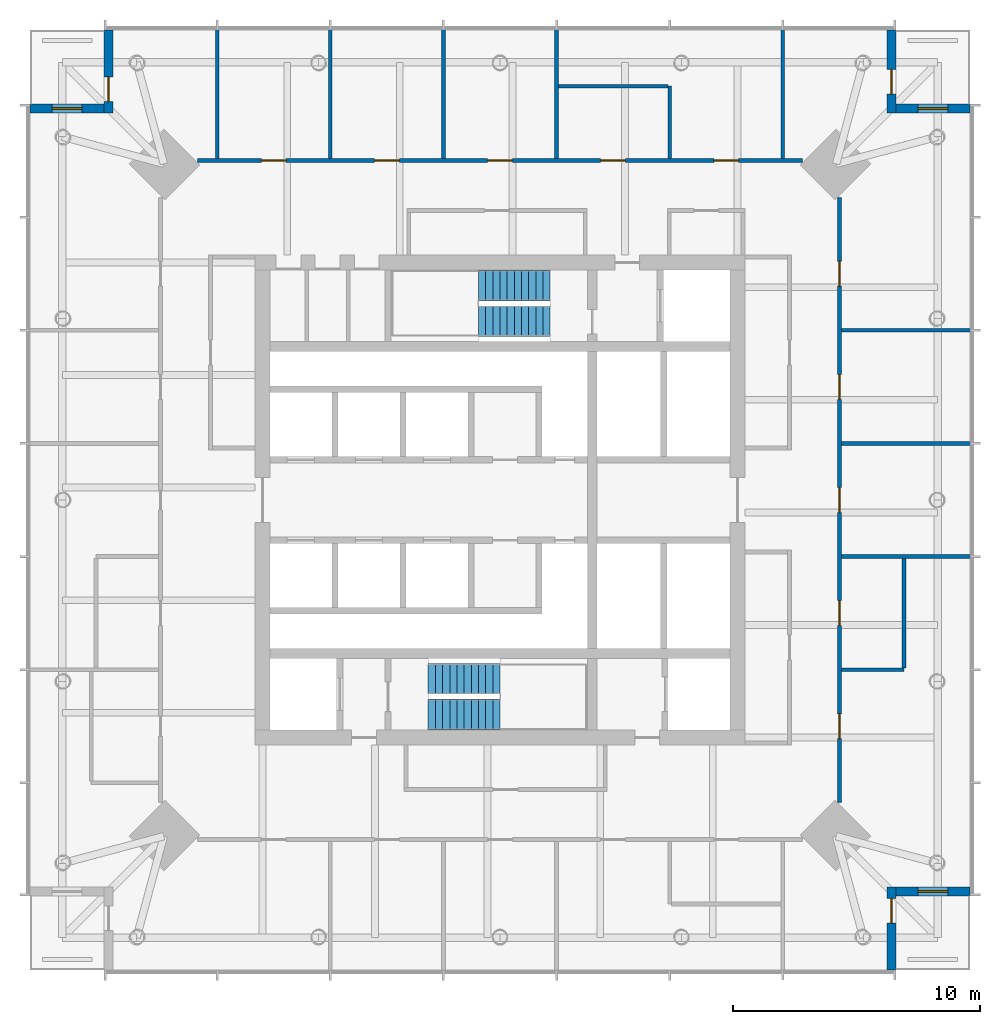
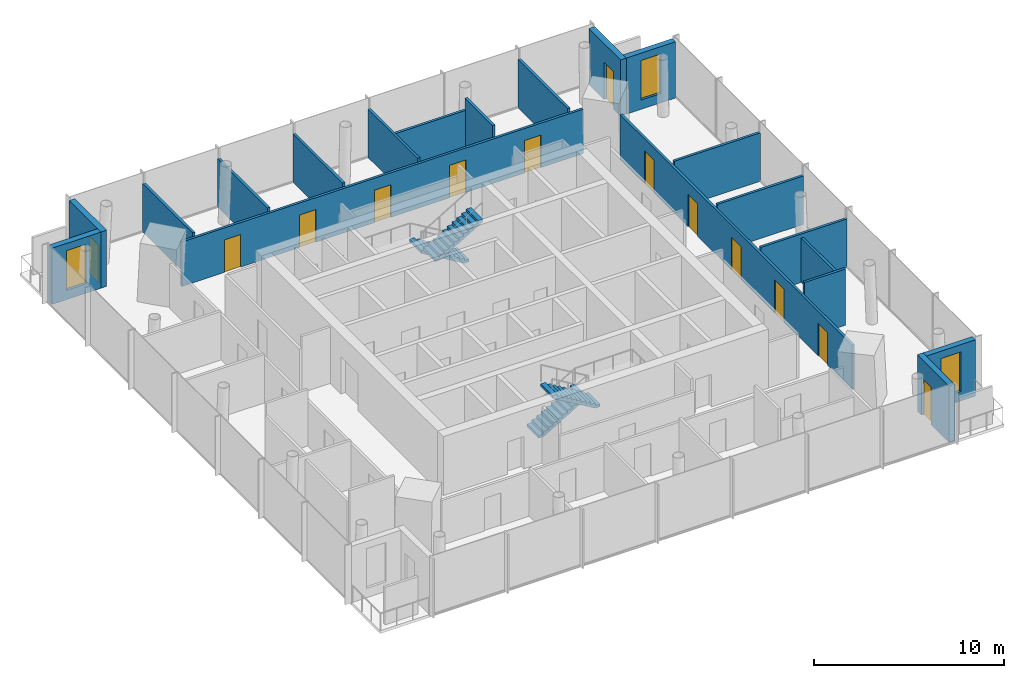
# One storey, part 6 of 7: 20 walls, 13 doors, 4 stair flights, 3 windows, 16 openings, 2 elements without a shape of their own.
"""IFC4 building model written with IfcOpenShell, lengths in metres."""

from ifc_helpers import new_model, si_unit, direction, frame, frame_2d, origin, place, context, subcontext, project, spatial, polyline, rectangle, outline, extrude, material, layer, layer_set, type_object, element, fill, aggregate, save


model = new_model("IFC4")

# Units and contexts
model_context = context("Model", 3, precision=1e-05, world=origin(), true_north=direction((0.0, 1.0)))
body_context = subcontext(model_context, "Body", "Model", "MODEL_VIEW")
ifc_project = project(units=[si_unit("LENGTHUNIT", "METRE"), si_unit("AREAUNIT", "SQUARE_METRE"), si_unit("VOLUMEUNIT", "CUBIC_METRE"), si_unit("PLANEANGLEUNIT", "RADIAN"), si_unit("MASSUNIT", "GRAM", prefix="KILO")], contexts=[model_context])

# Site, building, storey
site_placement = place(None, origin())
site = spatial("IfcSite", under=ifc_project, at=site_placement, CompositionType="ELEMENT")
building_placement = place(site_placement, origin())
building = spatial("IfcBuilding", under=site, at=building_placement, Name="Ostroluk Exchange", CompositionType="ELEMENT")
storey_placement = place(building_placement, frame((0.0, 0.0, 218.60009765625)))
storey = spatial("IfcBuildingStorey", under=building, at=storey_placement, Name="L56", CompositionType="ELEMENT", Elevation=218.60009765625)

# Wall, opening, door
ifc_material_1 = material(Name="Limestone", Category="masonry")
ifc_layer_1 = layer(ifc_material_1, 0.35009765625)
ifc_layer_set_1 = layer_set([ifc_layer_1], Name="Limestone facade wall 350")
wall_type_1 = type_object("IfcWallType", Name="Limestone facade wall 350", PredefinedType="SOLIDWALL", material=ifc_layer_set_1)
wall_1_placement = place(storey_placement, frame((60.824951171875, 27.0, 0.0), z_axis=(0.0, 0.0, 1.0), x_axis=(0.0, 1.0, 0.0)))
wall_1 = element("IfcWall", 1, at=wall_1_placement, inside=storey, type_object=wall_type_1, Name="Office tower SE corner wall L56 a", PredefinedType="SOLIDWALL", context=body_context, shape_type="SweptSolid", body=[
    extrude(rectangle(XDim=3.35009765625, YDim=0.35009765625, at=frame_2d((1.675048828125, 0.0))), origin(), (0.0, 0.0, 1.0), 3.619873046875),
])
opening_1_placement = place(wall_1_placement, frame((1.89990234375, 0.0, 0.0)))
opening_1 = element("IfcOpeningElement", 2, at=opening_1_placement, cuts=wall_1, Name="Opening D-B1", PredefinedType="OPENING", context=body_context, shape_type="SweptSolid", body=[
    extrude(rectangle(XDim=1.0, YDim=2.39990234375, at=frame_2d((0.5, 1.199951171875))), frame((0.0, 0.18505859375, 0.0), z_axis=(0.0, -1.0, 0.0), x_axis=(1.0, 0.0, 0.0)), (0.0, 0.0, 1.0), 0.3701171875),
])
ifc_material_2 = material(Name="Bronze framed glazed door", Category="aluminium")
door_type_1 = type_object("IfcDoorType", Name="Balcony door 1000 x 2400", OperationType="SINGLE_SWING_LEFT", PredefinedType="DOOR", material=ifc_material_2)
door_1_placement = place(opening_1_placement, origin())
door_1 = element("IfcDoor", 3, at=door_1_placement, inside=storey, type_object=door_type_1, Name="Office tower SE balcony door L56", OperationType="SINGLE_SWING_RIGHT", OverallHeight=2.39990234375, OverallWidth=1.0, PredefinedType="DOOR", context=body_context, shape_type="SweptSolid", body=[
    extrude(rectangle(XDim=1.0, YDim=2.39990234375, at=frame_2d((0.5, 1.199951171875))), frame((0.0, 0.02490234375, 0.0), z_axis=(0.0, -1.0, 0.0), x_axis=(1.0, 0.0, 0.0)), (0.0, 0.0, 1.0), 0.050048828125),
])
fill(opening_1, door_1)

# Wall, opening, window
wall_2_placement = place(storey_placement, frame((61.0, 30.175048828125, 0.0), z_axis=(0.0, 0.0, 1.0), x_axis=(1.0, 0.0, 0.0)))
wall_2 = element("IfcWall", 4, at=wall_2_placement, inside=storey, type_object=wall_type_1, Name="Office tower SE corner wall L56 b", PredefinedType="SOLIDWALL", context=body_context, shape_type="SweptSolid", body=[
    extrude(rectangle(XDim=3.0, YDim=0.35009765625, at=frame_2d((1.5, 0.0))), origin(), (0.0, 0.0, 1.0), 3.619873046875),
])
opening_2_placement = place(wall_2_placement, frame((0.89990234375, 0.0, 0.60009765625)))
opening_2 = element("IfcOpeningElement", 5, at=opening_2_placement, cuts=wall_2, Name="Opening WN-L1", PredefinedType="OPENING", context=body_context, shape_type="SweptSolid", body=[
    extrude(rectangle(XDim=1.199951171875, YDim=2.550048828125, at=frame_2d((0.60009765625, 1.27490234375))), frame((0.0, 0.18505859375, 0.0), z_axis=(0.0, -1.0, 0.0), x_axis=(1.0, 0.0, 0.0)), (0.0, 0.0, 1.0), 0.3701171875),
])
ifc_material_3 = material(Name="Laminated clear glass", Category="glass")
window_type = type_object("IfcWindowType", Name="Lancet window 1200 x 2550", PartitioningType="SINGLE_PANEL", PredefinedType="WINDOW", material=ifc_material_3)
window_1_placement = place(opening_2_placement, origin())
window_1 = element("IfcWindow", 6, at=window_1_placement, inside=storey, type_object=window_type, Name="Office tower SE lancet window L56", OverallHeight=2.550048828125, OverallWidth=1.199951171875, PartitioningType="SINGLE_PANEL", PredefinedType="WINDOW", context=body_context, shape_type="SweptSolid", body=[
    extrude(rectangle(XDim=1.199951171875, YDim=2.550048828125, at=frame_2d((0.60009765625, 1.27490234375))), frame((0.0, 0.030029296875, 0.0), z_axis=(0.0, -1.0, 0.0), x_axis=(1.0, 0.0, 0.0)), (0.0, 0.0, 1.0), 0.06005859375),
])
fill(opening_2, window_1)

# Wall, opening, door
wall_3_placement = place(storey_placement, frame((60.824951171875, 65.0, 0.0), z_axis=(0.0, 0.0, 1.0), x_axis=(0.0, -1.0, 0.0)))
wall_3 = element("IfcWall", 7, at=wall_3_placement, inside=storey, type_object=wall_type_1, Name="Office tower NE corner wall L56 a", PredefinedType="SOLIDWALL", context=body_context, shape_type="SweptSolid", body=[
    extrude(rectangle(XDim=3.35009765625, YDim=0.35009765625, at=frame_2d((1.675048828125, 0.0))), origin(), (0.0, 0.0, 1.0), 3.619873046875),
])
opening_3_placement = place(wall_3_placement, frame((1.60009765625, 0.0, 0.0)))
opening_3 = element("IfcOpeningElement", 8, at=opening_3_placement, cuts=wall_3, Name="Opening D-B1", PredefinedType="OPENING", context=body_context, shape_type="SweptSolid", body=[
    extrude(rectangle(XDim=1.0, YDim=2.39990234375, at=frame_2d((0.5, 1.199951171875))), frame((0.0, 0.18505859375, 0.0), z_axis=(0.0, -1.0, 0.0), x_axis=(1.0, 0.0, 0.0)), (0.0, 0.0, 1.0), 0.3701171875),
])
door_2_placement = place(opening_3_placement, origin())
door_2 = element("IfcDoor", 9, at=door_2_placement, inside=storey, type_object=door_type_1, Name="Office tower NE balcony door L56", OperationType="SINGLE_SWING_RIGHT", OverallHeight=2.39990234375, OverallWidth=1.0, PredefinedType="DOOR", context=body_context, shape_type="SweptSolid", body=[
    extrude(rectangle(XDim=1.0, YDim=2.39990234375, at=frame_2d((0.5, 1.199951171875))), frame((0.0, 0.02490234375, 0.0), z_axis=(0.0, -1.0, 0.0), x_axis=(1.0, 0.0, 0.0)), (0.0, 0.0, 1.0), 0.050048828125),
])
fill(opening_3, door_2)

# Wall, opening, window
wall_4_placement = place(storey_placement, frame((61.0, 61.824951171875, 0.0), z_axis=(0.0, 0.0, 1.0), x_axis=(1.0, 0.0, 0.0)))
wall_4 = element("IfcWall", 10, at=wall_4_placement, inside=storey, type_object=wall_type_1, Name="Office tower NE corner wall L56 b", PredefinedType="SOLIDWALL", context=body_context, shape_type="SweptSolid", body=[
    extrude(rectangle(XDim=3.0, YDim=0.35009765625, at=frame_2d((1.5, 0.0))), origin(), (0.0, 0.0, 1.0), 3.619873046875),
])
opening_4_placement = place(wall_4_placement, frame((0.89990234375, 0.0, 0.60009765625)))
opening_4 = element("IfcOpeningElement", 11, at=opening_4_placement, cuts=wall_4, Name="Opening WN-L1", PredefinedType="OPENING", context=body_context, shape_type="SweptSolid", body=[
    extrude(rectangle(XDim=1.199951171875, YDim=2.550048828125, at=frame_2d((0.60009765625, 1.27490234375))), frame((0.0, 0.18505859375, 0.0), z_axis=(0.0, -1.0, 0.0), x_axis=(1.0, 0.0, 0.0)), (0.0, 0.0, 1.0), 0.3701171875),
])
window_2_placement = place(opening_4_placement, origin())
window_2 = element("IfcWindow", 12, at=window_2_placement, inside=storey, type_object=window_type, Name="Office tower NE lancet window L56", OverallHeight=2.550048828125, OverallWidth=1.199951171875, PartitioningType="SINGLE_PANEL", PredefinedType="WINDOW", context=body_context, shape_type="SweptSolid", body=[
    extrude(rectangle(XDim=1.199951171875, YDim=2.550048828125, at=frame_2d((0.60009765625, 1.27490234375))), frame((0.0, 0.030029296875, 0.0), z_axis=(0.0, -1.0, 0.0), x_axis=(1.0, 0.0, 0.0)), (0.0, 0.0, 1.0), 0.06005859375),
])
fill(opening_4, window_2)

# Wall, opening, door
wall_5_placement = place(storey_placement, frame((29.175048828125, 65.0, 0.0), z_axis=(0.0, 0.0, 1.0), x_axis=(0.0, -1.0, 0.0)))
wall_5 = element("IfcWall", 13, at=wall_5_placement, inside=storey, type_object=wall_type_1, Name="Office tower NW corner wall L56 a", PredefinedType="SOLIDWALL", context=body_context, shape_type="SweptSolid", body=[
    extrude(rectangle(XDim=3.35009765625, YDim=0.35009765625, at=frame_2d((1.675048828125, 0.0))), origin(), (0.0, 0.0, 1.0), 3.619873046875),
])
opening_5_placement = place(wall_5_placement, frame((1.89990234375, 0.0, 0.0)))
opening_5 = element("IfcOpeningElement", 14, at=opening_5_placement, cuts=wall_5, Name="Opening D-B1", PredefinedType="OPENING", context=body_context, shape_type="SweptSolid", body=[
    extrude(rectangle(XDim=1.0, YDim=2.39990234375, at=frame_2d((0.5, 1.199951171875))), frame((0.0, 0.18505859375, 0.0), z_axis=(0.0, -1.0, 0.0), x_axis=(1.0, 0.0, 0.0)), (0.0, 0.0, 1.0), 0.3701171875),
])
door_3_placement = place(opening_5_placement, origin())
door_3 = element("IfcDoor", 15, at=door_3_placement, inside=storey, type_object=door_type_1, Name="Office tower NW balcony door L56", OperationType="SINGLE_SWING_RIGHT", OverallHeight=2.39990234375, OverallWidth=1.0, PredefinedType="DOOR", context=body_context, shape_type="SweptSolid", body=[
    extrude(rectangle(XDim=1.0, YDim=2.39990234375, at=frame_2d((0.5, 1.199951171875))), frame((0.0, 0.02490234375, 0.0), z_axis=(0.0, -1.0, 0.0), x_axis=(1.0, 0.0, 0.0)), (0.0, 0.0, 1.0), 0.050048828125),
])
fill(opening_5, door_3)

# Wall, opening, window
wall_6_placement = place(storey_placement, frame((29.0, 61.824951171875, 0.0), z_axis=(0.0, 0.0, 1.0), x_axis=(-1.0, 0.0, 0.0)))
wall_6 = element("IfcWall", 16, at=wall_6_placement, inside=storey, type_object=wall_type_1, Name="Office tower NW corner wall L56 b", PredefinedType="SOLIDWALL", context=body_context, shape_type="SweptSolid", body=[
    extrude(rectangle(XDim=3.0, YDim=0.35009765625, at=frame_2d((1.5, 0.0))), origin(), (0.0, 0.0, 1.0), 3.619873046875),
])
opening_6_placement = place(wall_6_placement, frame((0.89990234375, 0.0, 0.60009765625)))
opening_6 = element("IfcOpeningElement", 17, at=opening_6_placement, cuts=wall_6, Name="Opening WN-L1", PredefinedType="OPENING", context=body_context, shape_type="SweptSolid", body=[
    extrude(rectangle(XDim=1.199951171875, YDim=2.550048828125, at=frame_2d((0.60009765625, 1.27490234375))), frame((0.0, 0.18505859375, 0.0), z_axis=(0.0, -1.0, 0.0), x_axis=(1.0, 0.0, 0.0)), (0.0, 0.0, 1.0), 0.3701171875),
])
window_3_placement = place(opening_6_placement, origin())
window_3 = element("IfcWindow", 18, at=window_3_placement, inside=storey, type_object=window_type, Name="Office tower NW lancet window L56", OverallHeight=2.550048828125, OverallWidth=1.199951171875, PartitioningType="SINGLE_PANEL", PredefinedType="WINDOW", context=body_context, shape_type="SweptSolid", body=[
    extrude(rectangle(XDim=1.199951171875, YDim=2.550048828125, at=frame_2d((0.60009765625, 1.27490234375))), frame((0.0, 0.030029296875, 0.0), z_axis=(0.0, -1.0, 0.0), x_axis=(1.0, 0.0, 0.0)), (0.0, 0.0, 1.0), 0.06005859375),
])
fill(opening_6, window_3)

# Wall
ifc_material_4 = material(Name="Gypsum plasterboard partition", Category="gypsum")
ifc_layer_2 = layer(ifc_material_4, 0.14990234375)
ifc_layer_set_2 = layer_set([ifc_layer_2], Name="Plasterboard partition 150")
wall_type_2 = type_object("IfcWallType", Name="Plasterboard partition 150", PredefinedType="PARTITIONING", material=ifc_layer_set_2)
wall_7_placement = place(storey_placement, frame((61.324951171875, 39.2177734375, 0.0), z_axis=(0.0, 0.0, 1.0), x_axis=(0.0, 1.0, 0.0)))
element("IfcWall", 19, at=wall_7_placement, inside=storey, type_object=wall_type_2, Name="Partition", PredefinedType="PARTITIONING", context=body_context, shape_type="SweptSolid", body=[
    extrude(rectangle(XDim=4.421630859375, YDim=0.14990234375, at=frame_2d((2.2109375, 0.0))), origin(), (0.0, 0.0, 1.0), 2.866943359375),
])

# Wall, openings, doors
wall_8_placement = place(storey_placement, frame((58.72509765625, 33.76416015625, 0.0), z_axis=(0.0, 0.0, 1.0), x_axis=(0.0, 1.0, 0.0)))
wall_8 = element("IfcWall", 20, at=wall_8_placement, inside=storey, type_object=wall_type_2, Name="Partition", PredefinedType="PARTITIONING", context=body_context, shape_type="SweptSolid", body=[
    extrude(rectangle(XDim=24.4716796875, YDim=0.14990234375, at=frame_2d((12.23583984375, 0.0))), origin(), (0.0, 0.0, 1.0), 2.866943359375),
])
opening_7_placement = place(wall_8_placement, frame((2.593017578125, 0.0, 0.0)))
opening_7 = element("IfcOpeningElement", 21, at=opening_7_placement, cuts=wall_8, Name="Opening D-03", PredefinedType="OPENING", context=body_context, shape_type="SweptSolid", body=[
    extrude(rectangle(XDim=1.0, YDim=2.10009765625, at=frame_2d((0.5, 1.050048828125))), frame((0.0, 0.0849609375, 0.0), z_axis=(0.0, -1.0, 0.0), x_axis=(1.0, 0.0, 0.0)), (0.0, 0.0, 1.0), 0.169921875),
])
opening_8_placement = place(wall_8_placement, frame((7.164306640625, 0.0, 0.0)))
opening_8 = element("IfcOpeningElement", 22, at=opening_8_placement, cuts=wall_8, Name="Opening D-03", PredefinedType="OPENING", context=body_context, shape_type="SweptSolid", body=[
    extrude(rectangle(XDim=1.0, YDim=2.10009765625, at=frame_2d((0.5, 1.050048828125))), frame((0.0, 0.0849609375, 0.0), z_axis=(0.0, -1.0, 0.0), x_axis=(1.0, 0.0, 0.0)), (0.0, 0.0, 1.0), 0.169921875),
])
opening_9_placement = place(wall_8_placement, frame((11.73583984375, 0.0, 0.0)))
opening_9 = element("IfcOpeningElement", 23, at=opening_9_placement, cuts=wall_8, Name="Opening D-03", PredefinedType="OPENING", context=body_context, shape_type="SweptSolid", body=[
    extrude(rectangle(XDim=1.0, YDim=2.10009765625, at=frame_2d((0.5, 1.050048828125))), frame((0.0, 0.0849609375, 0.0), z_axis=(0.0, -1.0, 0.0), x_axis=(1.0, 0.0, 0.0)), (0.0, 0.0, 1.0), 0.169921875),
])
opening_10_placement = place(wall_8_placement, frame((16.30712890625, 0.0, 0.0)))
opening_10 = element("IfcOpeningElement", 24, at=opening_10_placement, cuts=wall_8, Name="Opening D-03", PredefinedType="OPENING", context=body_context, shape_type="SweptSolid", body=[
    extrude(rectangle(XDim=1.0, YDim=2.10009765625, at=frame_2d((0.5, 1.050048828125))), frame((0.0, 0.0849609375, 0.0), z_axis=(0.0, -1.0, 0.0), x_axis=(1.0, 0.0, 0.0)), (0.0, 0.0, 1.0), 0.169921875),
])
opening_11_placement = place(wall_8_placement, frame((20.878662109375, 0.0, 0.0)))
opening_11 = element("IfcOpeningElement", 25, at=opening_11_placement, cuts=wall_8, Name="Opening D-03", PredefinedType="OPENING", context=body_context, shape_type="SweptSolid", body=[
    extrude(rectangle(XDim=1.0, YDim=2.10009765625, at=frame_2d((0.5, 1.050048828125))), frame((0.0, 0.0849609375, 0.0), z_axis=(0.0, -1.0, 0.0), x_axis=(1.0, 0.0, 0.0)), (0.0, 0.0, 1.0), 0.169921875),
])
ifc_material_5 = material(Name="Timber", Category="wood")
door_type_2 = type_object("IfcDoorType", Name="Internal door 1000 x 2100", OperationType="SINGLE_SWING_LEFT", PredefinedType="DOOR", material=ifc_material_5)
door_4_placement = place(opening_7_placement, origin())
door_4 = element("IfcDoor", 26, at=door_4_placement, inside=storey, type_object=door_type_2, Name="Office suite door", OperationType="SINGLE_SWING_LEFT", OverallHeight=2.10009765625, OverallWidth=1.0, PredefinedType="DOOR", context=body_context, shape_type="SweptSolid", body=[
    extrude(rectangle(XDim=1.0, YDim=2.10009765625, at=frame_2d((0.5, 1.050048828125))), frame((0.0, 0.02490234375, 0.0), z_axis=(0.0, -1.0, 0.0), x_axis=(1.0, 0.0, 0.0)), (0.0, 0.0, 1.0), 0.050048828125),
])
fill(opening_7, door_4)
door_5_placement = place(opening_8_placement, origin())
door_5 = element("IfcDoor", 27, at=door_5_placement, inside=storey, type_object=door_type_2, Name="Pantry door", OperationType="SINGLE_SWING_LEFT", OverallHeight=2.10009765625, OverallWidth=1.0, PredefinedType="DOOR", context=body_context, shape_type="SweptSolid", body=[
    extrude(rectangle(XDim=1.0, YDim=2.10009765625, at=frame_2d((0.5, 1.050048828125))), frame((0.0, 0.02490234375, 0.0), z_axis=(0.0, -1.0, 0.0), x_axis=(1.0, 0.0, 0.0)), (0.0, 0.0, 1.0), 0.050048828125),
])
fill(opening_8, door_5)
door_6_placement = place(opening_9_placement, origin())
door_6 = element("IfcDoor", 28, at=door_6_placement, inside=storey, type_object=door_type_2, Name="Office door", OperationType="SINGLE_SWING_LEFT", OverallHeight=2.10009765625, OverallWidth=1.0, PredefinedType="DOOR", context=body_context, shape_type="SweptSolid", body=[
    extrude(rectangle(XDim=1.0, YDim=2.10009765625, at=frame_2d((0.5, 1.050048828125))), frame((0.0, 0.02490234375, 0.0), z_axis=(0.0, -1.0, 0.0), x_axis=(1.0, 0.0, 0.0)), (0.0, 0.0, 1.0), 0.050048828125),
])
fill(opening_9, door_6)
door_7_placement = place(opening_10_placement, origin())
door_7 = element("IfcDoor", 29, at=door_7_placement, inside=storey, type_object=door_type_2, Name="Meeting room door", OperationType="SINGLE_SWING_RIGHT", OverallHeight=2.10009765625, OverallWidth=1.0, PredefinedType="DOOR", context=body_context, shape_type="SweptSolid", body=[
    extrude(rectangle(XDim=1.0, YDim=2.10009765625, at=frame_2d((0.5, 1.050048828125))), frame((0.0, 0.02490234375, 0.0), z_axis=(0.0, -1.0, 0.0), x_axis=(1.0, 0.0, 0.0)), (0.0, 0.0, 1.0), 0.050048828125),
])
fill(opening_10, door_7)
door_8_placement = place(opening_11_placement, origin())
door_8 = element("IfcDoor", 30, at=door_8_placement, inside=storey, type_object=door_type_2, Name="Office door", OperationType="SINGLE_SWING_RIGHT", OverallHeight=2.10009765625, OverallWidth=1.0, PredefinedType="DOOR", context=body_context, shape_type="SweptSolid", body=[
    extrude(rectangle(XDim=1.0, YDim=2.10009765625, at=frame_2d((0.5, 1.050048828125))), frame((0.0, 0.02490234375, 0.0), z_axis=(0.0, -1.0, 0.0), x_axis=(1.0, 0.0, 0.0)), (0.0, 0.0, 1.0), 0.050048828125),
])
fill(opening_11, door_8)

# Walls
wall_9_placement = place(storey_placement, frame((58.800048828125, 39.142822265625, 0.0), z_axis=(0.0, 0.0, 1.0), x_axis=(1.0, 0.0, 0.0)))
element("IfcWall", 31, at=wall_9_placement, inside=storey, type_object=wall_type_2, Name="Partition", PredefinedType="PARTITIONING", context=body_context, shape_type="SweptSolid", body=[
    extrude(rectangle(XDim=2.52490234375, YDim=0.14990234375, at=frame_2d((1.262451171875, 0.0))), origin(), (0.0, 0.0, 1.0), 3.619873046875),
])
for number, where, z_axis, x_axis, name in (
    (32, (58.800048828125, 43.71435546875, 0.0), (0.0, 0.0, 1.0), (1.0, 0.0, 0.0), "Partition"),
    (33, (58.800048828125, 48.28564453125, 0.0), (0.0, 0.0, 1.0), (1.0, 0.0, 0.0), "Partition"),
    (34, (58.800048828125, 52.857177734375, 0.0), (0.0, 0.0, 1.0), (1.0, 0.0, 0.0), "Partition"),
):
    element("IfcWall", number, at=place(storey_placement, frame(where, z_axis=z_axis, x_axis=x_axis)), inside=storey, type_object=wall_type_2, Name=name, PredefinedType="PARTITIONING", context=body_context, shape_type="SweptSolid", body=[
        extrude(rectangle(XDim=5.239990234375, YDim=0.14990234375, at=frame_2d((2.6201171875, 0.0))), origin(), (0.0, 0.0, 1.0), 3.119873046875),
    ])
wall_10_placement = place(storey_placement, frame((51.7822265625, 62.72509765625, 0.0), z_axis=(0.0, 0.0, 1.0), x_axis=(-1.0, 0.0, 0.0)))
element("IfcWall", 35, at=wall_10_placement, inside=storey, type_object=wall_type_2, Name="Partition", PredefinedType="PARTITIONING", context=body_context, shape_type="SweptSolid", body=[
    extrude(rectangle(XDim=4.421630859375, YDim=0.14990234375, at=frame_2d((2.2109375, 0.0))), origin(), (0.0, 0.0, 1.0), 2.866943359375),
])

# Wall, openings, doors
wall_11_placement = place(storey_placement, frame((57.23583984375, 59.72509765625, 0.0), z_axis=(0.0, 0.0, 1.0), x_axis=(-1.0, 0.0, 0.0)))
wall_11 = element("IfcWall", 36, at=wall_11_placement, inside=storey, type_object=wall_type_2, Name="Partition", PredefinedType="PARTITIONING", context=body_context, shape_type="SweptSolid", body=[
    extrude(rectangle(XDim=24.4716796875, YDim=0.14990234375, at=frame_2d((12.23583984375, 0.0))), origin(), (0.0, 0.0, 1.0), 2.866943359375),
])
opening_12_placement = place(wall_11_placement, frame((2.593017578125, 0.0, 0.0)))
opening_12 = element("IfcOpeningElement", 37, at=opening_12_placement, cuts=wall_11, Name="Opening D-03", PredefinedType="OPENING", context=body_context, shape_type="SweptSolid", body=[
    extrude(rectangle(XDim=1.0, YDim=2.10009765625, at=frame_2d((0.5, 1.050048828125))), frame((0.0, 0.0849609375, 0.0), z_axis=(0.0, -1.0, 0.0), x_axis=(1.0, 0.0, 0.0)), (0.0, 0.0, 1.0), 0.169921875),
])
opening_13_placement = place(wall_11_placement, frame((7.164306640625, 0.0, 0.0)))
opening_13 = element("IfcOpeningElement", 38, at=opening_13_placement, cuts=wall_11, Name="Opening D-03", PredefinedType="OPENING", context=body_context, shape_type="SweptSolid", body=[
    extrude(rectangle(XDim=1.0, YDim=2.10009765625, at=frame_2d((0.5, 1.050048828125))), frame((0.0, 0.0849609375, 0.0), z_axis=(0.0, -1.0, 0.0), x_axis=(1.0, 0.0, 0.0)), (0.0, 0.0, 1.0), 0.169921875),
])
opening_14_placement = place(wall_11_placement, frame((11.73583984375, 0.0, 0.0)))
opening_14 = element("IfcOpeningElement", 39, at=opening_14_placement, cuts=wall_11, Name="Opening D-03", PredefinedType="OPENING", context=body_context, shape_type="SweptSolid", body=[
    extrude(rectangle(XDim=1.0, YDim=2.10009765625, at=frame_2d((0.5, 1.050048828125))), frame((0.0, 0.0849609375, 0.0), z_axis=(0.0, -1.0, 0.0), x_axis=(1.0, 0.0, 0.0)), (0.0, 0.0, 1.0), 0.169921875),
])
opening_15_placement = place(wall_11_placement, frame((16.30712890625, 0.0, 0.0)))
opening_15 = element("IfcOpeningElement", 40, at=opening_15_placement, cuts=wall_11, Name="Opening D-03", PredefinedType="OPENING", context=body_context, shape_type="SweptSolid", body=[
    extrude(rectangle(XDim=1.0, YDim=2.10009765625, at=frame_2d((0.5, 1.050048828125))), frame((0.0, 0.0849609375, 0.0), z_axis=(0.0, -1.0, 0.0), x_axis=(1.0, 0.0, 0.0)), (0.0, 0.0, 1.0), 0.169921875),
])
opening_16_placement = place(wall_11_placement, frame((20.878662109375, 0.0, 0.0)))
opening_16 = element("IfcOpeningElement", 41, at=opening_16_placement, cuts=wall_11, Name="Opening D-03", PredefinedType="OPENING", context=body_context, shape_type="SweptSolid", body=[
    extrude(rectangle(XDim=1.0, YDim=2.10009765625, at=frame_2d((0.5, 1.050048828125))), frame((0.0, 0.0849609375, 0.0), z_axis=(0.0, -1.0, 0.0), x_axis=(1.0, 0.0, 0.0)), (0.0, 0.0, 1.0), 0.169921875),
])
door_9_placement = place(opening_12_placement, origin())
door_9 = element("IfcDoor", 42, at=door_9_placement, inside=storey, type_object=door_type_2, Name="Office door", OperationType="SINGLE_SWING_LEFT", OverallHeight=2.10009765625, OverallWidth=1.0, PredefinedType="DOOR", context=body_context, shape_type="SweptSolid", body=[
    extrude(rectangle(XDim=1.0, YDim=2.10009765625, at=frame_2d((0.5, 1.050048828125))), frame((0.0, 0.02490234375, 0.0), z_axis=(0.0, -1.0, 0.0), x_axis=(1.0, 0.0, 0.0)), (0.0, 0.0, 1.0), 0.050048828125),
])
fill(opening_12, door_9)
door_10_placement = place(opening_13_placement, origin())
door_10 = element("IfcDoor", 43, at=door_10_placement, inside=storey, type_object=door_type_2, Name="Focus room door", OperationType="SINGLE_SWING_LEFT", OverallHeight=2.10009765625, OverallWidth=1.0, PredefinedType="DOOR", context=body_context, shape_type="SweptSolid", body=[
    extrude(rectangle(XDim=1.0, YDim=2.10009765625, at=frame_2d((0.5, 1.050048828125))), frame((0.0, 0.02490234375, 0.0), z_axis=(0.0, -1.0, 0.0), x_axis=(1.0, 0.0, 0.0)), (0.0, 0.0, 1.0), 0.050048828125),
])
fill(opening_13, door_10)
door_11_placement = place(opening_14_placement, origin())
door_11 = element("IfcDoor", 44, at=door_11_placement, inside=storey, type_object=door_type_2, Name="Pantry door", OperationType="SINGLE_SWING_LEFT", OverallHeight=2.10009765625, OverallWidth=1.0, PredefinedType="DOOR", context=body_context, shape_type="SweptSolid", body=[
    extrude(rectangle(XDim=1.0, YDim=2.10009765625, at=frame_2d((0.5, 1.050048828125))), frame((0.0, 0.02490234375, 0.0), z_axis=(0.0, -1.0, 0.0), x_axis=(1.0, 0.0, 0.0)), (0.0, 0.0, 1.0), 0.050048828125),
])
fill(opening_14, door_11)
door_12_placement = place(opening_15_placement, origin())
door_12 = element("IfcDoor", 45, at=door_12_placement, inside=storey, type_object=door_type_2, Name="Meeting room door", OperationType="SINGLE_SWING_RIGHT", OverallHeight=2.10009765625, OverallWidth=1.0, PredefinedType="DOOR", context=body_context, shape_type="SweptSolid", body=[
    extrude(rectangle(XDim=1.0, YDim=2.10009765625, at=frame_2d((0.5, 1.050048828125))), frame((0.0, 0.02490234375, 0.0), z_axis=(0.0, -1.0, 0.0), x_axis=(1.0, 0.0, 0.0)), (0.0, 0.0, 1.0), 0.050048828125),
])
fill(opening_15, door_12)
door_13_placement = place(opening_16_placement, origin())
door_13 = element("IfcDoor", 46, at=door_13_placement, inside=storey, type_object=door_type_2, Name="Office door", OperationType="SINGLE_SWING_RIGHT", OverallHeight=2.10009765625, OverallWidth=1.0, PredefinedType="DOOR", context=body_context, shape_type="SweptSolid", body=[
    extrude(rectangle(XDim=1.0, YDim=2.10009765625, at=frame_2d((0.5, 1.050048828125))), frame((0.0, 0.02490234375, 0.0), z_axis=(0.0, -1.0, 0.0), x_axis=(1.0, 0.0, 0.0)), (0.0, 0.0, 1.0), 0.050048828125),
])
fill(opening_16, door_13)

# Walls
wall_12_placement = place(storey_placement, frame((56.428466796875, 59.800048828125, 0.0), z_axis=(0.0, 0.0, 1.0), x_axis=(0.0, 1.0, 0.0)))
element("IfcWall", 47, at=wall_12_placement, inside=storey, type_object=wall_type_2, Name="Partition", PredefinedType="PARTITIONING", context=body_context, shape_type="SweptSolid", body=[
    extrude(rectangle(XDim=5.239990234375, YDim=0.14990234375, at=frame_2d((2.6201171875, 0.0))), origin(), (0.0, 0.0, 1.0), 3.119873046875),
])
wall_13_placement = place(storey_placement, frame((51.857177734375, 59.800048828125, 0.0), z_axis=(0.0, 0.0, 1.0), x_axis=(0.0, 1.0, 0.0)))
element("IfcWall", 48, at=wall_13_placement, inside=storey, type_object=wall_type_2, Name="Partition", PredefinedType="PARTITIONING", context=body_context, shape_type="SweptSolid", body=[
    extrude(rectangle(XDim=2.925048828125, YDim=0.14990234375, at=frame_2d((1.46240234375, 0.0))), origin(), (0.0, 0.0, 1.0), 3.619873046875),
])
for number, where, z_axis, x_axis, name in (
    (49, (47.28564453125, 59.800048828125, 0.0), (0.0, 0.0, 1.0), (0.0, 1.0, 0.0), "Partition"),
    (50, (42.71435546875, 59.800048828125, 0.0), (0.0, 0.0, 1.0), (0.0, 1.0, 0.0), "Partition"),
    (51, (38.142822265625, 59.800048828125, 0.0), (0.0, 0.0, 1.0), (0.0, 1.0, 0.0), "Partition"),
    (52, (33.571533203125, 59.800048828125, 0.0), (0.0, 0.0, 1.0), (0.0, 1.0, 0.0), "Partition"),
):
    element("IfcWall", number, at=place(storey_placement, frame(where, z_axis=z_axis, x_axis=x_axis)), inside=storey, type_object=wall_type_2, Name=name, PredefinedType="PARTITIONING", context=body_context, shape_type="SweptSolid", body=[
        extrude(rectangle(XDim=5.239990234375, YDim=0.14990234375, at=frame_2d((2.6201171875, 0.0))), origin(), (0.0, 0.0, 1.0), 3.119873046875),
    ])

# Stair, stair flights
ifc_material_6 = material(Name="Concrete C30/37", Category="concrete")
stair_type = type_object("IfcStairType", Name="Exit stair half turn 3800", PredefinedType="HALF_TURN_STAIR", material=ifc_material_6)
stair_1_placement = place(storey_placement, origin())
stair_1 = element("IfcStair", 53, at=stair_1_placement, inside=storey, type_object=stair_type, Name="Stair T1-S1 L56", PredefinedType="HALF_TURN_STAIR")
ifc_material_7 = material(Name="Concrete C30/37", Category="concrete")
stair_flight_type = type_object("IfcStairFlightType", Name="Stair flight 11 risers 172.7 x 290", PredefinedType="STRAIGHT", material=ifc_material_7)
stair_flight_1_placement = place(storey_placement, frame((42.10009765625, 38.77490234375, 0.0), z_axis=(0.0, 0.0, 1.0), x_axis=(1.0, 0.0, 0.0)))
stair_flight_1 = element("IfcStairFlight", 54, at=stair_flight_1_placement, type_object=stair_flight_type, Name="T1-S1 flight 1", NumberOfRisers=11, NumberOfTreads=10, PredefinedType="STRAIGHT", RiserHeight=0.172727273, TreadLength=0.29, context=body_context, shape_type="SweptSolid", body=[
    extrude(outline(polyline([(0.0, 0.0), (0.0, 0.172607421875), (0.2900390625, 0.172607421875), (0.2900390625, 0.345458984375), (0.580078125, 0.345458984375), (0.580078125, 0.51806640625), (0.8701171875, 0.51806640625), (0.8701171875, 0.69091796875), (1.159912109375, 0.69091796875), (1.159912109375, 0.863525390625), (1.449951171875, 0.863525390625), (1.449951171875, 1.036376953125), (1.739990234375, 1.036376953125), (1.739990234375, 1.208984375), (2.030029296875, 1.208984375), (2.030029296875, 1.3818359375), (2.320068359375, 1.3818359375), (2.320068359375, 1.554443359375), (2.610107421875, 1.554443359375), (2.610107421875, 1.727294921875), (2.89990234375, 1.727294921875), (2.89990234375, 1.89990234375), (2.89990234375, 1.552734375), (0.29296875, 0.0), (0.0, 0.0)])), frame((0.0, 0.625, 0.0), z_axis=(0.0, -1.0, 0.0), x_axis=(1.0, 0.0, 0.0)), (0.0, 0.0, 1.0), 1.25),
])
stair_flight_2_placement = place(storey_placement, frame((45.0, 37.324951171875, 1.89990234375), z_axis=(0.0, 0.0, 1.0), x_axis=(-1.0, 0.0, 0.0)))
stair_flight_2 = element("IfcStairFlight", 55, at=stair_flight_2_placement, type_object=stair_flight_type, Name="T1-S1 flight 2", NumberOfRisers=11, NumberOfTreads=10, PredefinedType="STRAIGHT", RiserHeight=0.172727273, TreadLength=0.29, context=body_context, shape_type="SweptSolid", body=[
    extrude(outline(polyline([(0.0, 0.0), (0.0, 0.172607421875), (0.2900390625, 0.172607421875), (0.2900390625, 0.345458984375), (0.580078125, 0.345458984375), (0.580078125, 0.51806640625), (0.8701171875, 0.51806640625), (0.8701171875, 0.69091796875), (1.159912109375, 0.69091796875), (1.159912109375, 0.863525390625), (1.449951171875, 0.863525390625), (1.449951171875, 1.036376953125), (1.739990234375, 1.036376953125), (1.739990234375, 1.208984375), (2.030029296875, 1.208984375), (2.030029296875, 1.3818359375), (2.320068359375, 1.3818359375), (2.320068359375, 1.554443359375), (2.610107421875, 1.554443359375), (2.610107421875, 1.727294921875), (2.89990234375, 1.727294921875), (2.89990234375, 1.89990234375), (2.89990234375, 1.552734375), (0.29296875, 0.0), (0.0, 0.0)])), frame((0.0, 0.625, 0.0), z_axis=(0.0, -1.0, 0.0), x_axis=(1.0, 0.0, 0.0)), (0.0, 0.0, 1.0), 1.25),
])
aggregate(stair_1, [stair_flight_1, stair_flight_2])

stair_2_placement = place(storey_placement, origin())
stair_2 = element("IfcStair", 56, at=stair_2_placement, inside=storey, type_object=stair_type, Name="Stair T1-S2 L56", PredefinedType="HALF_TURN_STAIR")
stair_flight_3_placement = place(storey_placement, frame((47.030029296875, 54.675048828125, 0.0), z_axis=(0.0, 0.0, 1.0), x_axis=(-1.0, 0.0, 0.0)))
stair_flight_3 = element("IfcStairFlight", 57, at=stair_flight_3_placement, type_object=stair_flight_type, Name="T1-S2 flight 1", NumberOfRisers=11, NumberOfTreads=10, PredefinedType="STRAIGHT", RiserHeight=0.172727273, TreadLength=0.29, context=body_context, shape_type="SweptSolid", body=[
    extrude(outline(polyline([(0.0, 0.0), (0.0, 0.172607421875), (0.2900390625, 0.172607421875), (0.2900390625, 0.345458984375), (0.580078125, 0.345458984375), (0.580078125, 0.51806640625), (0.8701171875, 0.51806640625), (0.8701171875, 0.69091796875), (1.159912109375, 0.69091796875), (1.159912109375, 0.863525390625), (1.449951171875, 0.863525390625), (1.449951171875, 1.036376953125), (1.739990234375, 1.036376953125), (1.739990234375, 1.208984375), (2.030029296875, 1.208984375), (2.030029296875, 1.3818359375), (2.320068359375, 1.3818359375), (2.320068359375, 1.554443359375), (2.610107421875, 1.554443359375), (2.610107421875, 1.727294921875), (2.89990234375, 1.727294921875), (2.89990234375, 1.89990234375), (2.89990234375, 1.552734375), (0.29296875, 0.0), (0.0, 0.0)])), frame((0.0, 0.625, 0.0), z_axis=(0.0, -1.0, 0.0), x_axis=(1.0, 0.0, 0.0)), (0.0, 0.0, 1.0), 1.25),
])
stair_flight_4_placement = place(storey_placement, frame((44.1298828125, 53.22509765625, 1.89990234375), z_axis=(0.0, 0.0, 1.0), x_axis=(1.0, 0.0, 0.0)))
stair_flight_4 = element("IfcStairFlight", 58, at=stair_flight_4_placement, type_object=stair_flight_type, Name="T1-S2 flight 2", NumberOfRisers=11, NumberOfTreads=10, PredefinedType="STRAIGHT", RiserHeight=0.172727273, TreadLength=0.29, context=body_context, shape_type="SweptSolid", body=[
    extrude(outline(polyline([(0.0, 0.0), (0.0, 0.172607421875), (0.2900390625, 0.172607421875), (0.2900390625, 0.345458984375), (0.580078125, 0.345458984375), (0.580078125, 0.51806640625), (0.8701171875, 0.51806640625), (0.8701171875, 0.69091796875), (1.159912109375, 0.69091796875), (1.159912109375, 0.863525390625), (1.449951171875, 0.863525390625), (1.449951171875, 1.036376953125), (1.739990234375, 1.036376953125), (1.739990234375, 1.208984375), (2.030029296875, 1.208984375), (2.030029296875, 1.3818359375), (2.320068359375, 1.3818359375), (2.320068359375, 1.554443359375), (2.610107421875, 1.554443359375), (2.610107421875, 1.727294921875), (2.89990234375, 1.727294921875), (2.89990234375, 1.89990234375), (2.89990234375, 1.552734375), (0.29296875, 0.0), (0.0, 0.0)])), frame((0.0, 0.625, 0.0), z_axis=(0.0, -1.0, 0.0), x_axis=(1.0, 0.0, 0.0)), (0.0, 0.0, 1.0), 1.25),
])
aggregate(stair_2, [stair_flight_3, stair_flight_4])

save(model, "model.ifc")
